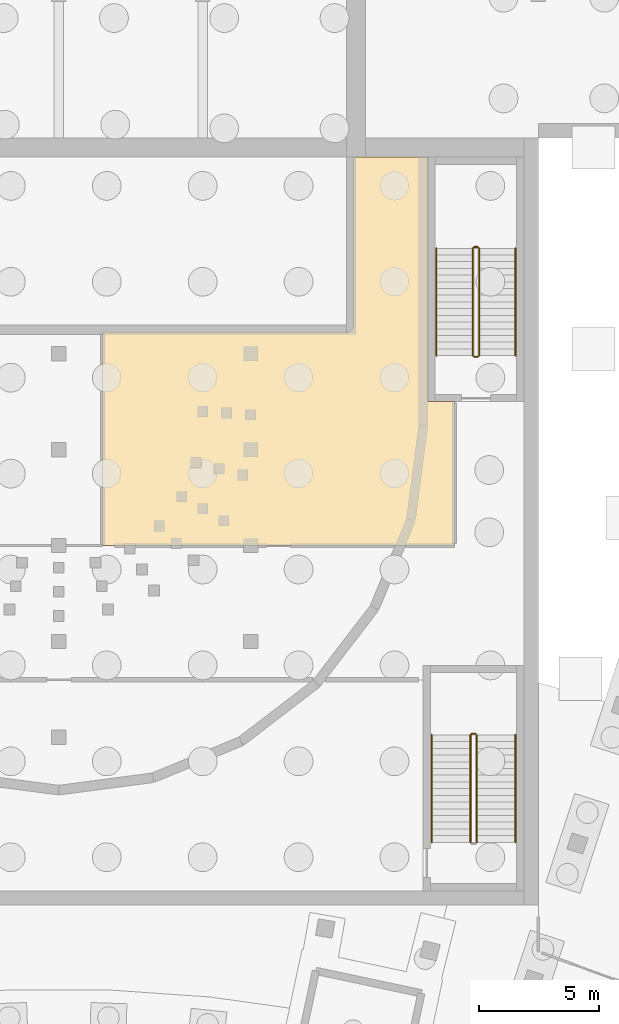
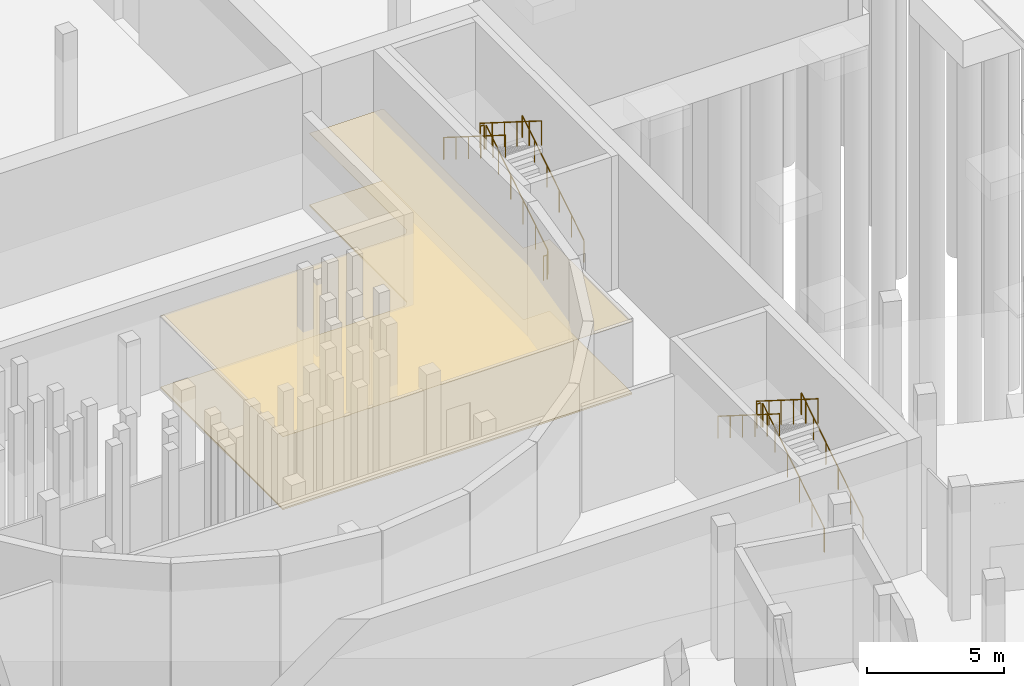
# One storey, part 51 of 66: 11 railings, 2 coverings.
"""IFC4 building model written with IfcOpenShell, lengths in metres."""

from ifc_helpers import new_model, si_unit, direction, frame, origin, origin_2d, place, context, subcontext, project, spatial, polyline, circle, outline, extrude, material, layer, layer_set, type_object, element, save


model = new_model("IFC4")

# Units and contexts
model_context = context("Model", 3, precision=1e-05, world=origin(), true_north=direction((0.0, 1.0)))
body_context = subcontext(model_context, "Body", "Model", "MODEL_VIEW")
ifc_project = project(units=[si_unit("LENGTHUNIT", "METRE"), si_unit("AREAUNIT", "SQUARE_METRE"), si_unit("VOLUMEUNIT", "CUBIC_METRE"), si_unit("PLANEANGLEUNIT", "RADIAN"), si_unit("MASSUNIT", "GRAM", prefix="KILO")], contexts=[model_context])

# Site, building, storey
site_placement = place(None, origin())
site = spatial("IfcSite", under=ifc_project, at=site_placement, CompositionType="ELEMENT")
building_placement = place(site_placement, origin())
building = spatial("IfcBuilding", under=site, at=building_placement, Name="Lunette Opera House", CompositionType="ELEMENT")
storey_placement = place(building_placement, frame((0.0, 0.0, -6.0)))
storey = spatial("IfcBuildingStorey", under=building, at=storey_placement, Name="B1", CompositionType="ELEMENT", Elevation=-6.0)

# Covering
ifc_material_1 = material(Name="Cement screed")
ifc_layer_1 = layer(ifc_material_1, 0.070068359375)
ifc_layer_set_1 = layer_set([ifc_layer_1], Name="Cement screed")
covering_type_1 = type_object("IfcCoveringType", Name="SCREED FLOOR FINISH 70", PredefinedType="FLOORING", material=ifc_layer_set_1)
covering_1_placement = place(storey_placement, origin())
element("IfcCovering", 1, at=covering_1_placement, inside=storey, type_object=covering_type_1, Name="Floor finish Orchestra Pit Store", PredefinedType="FLOORING", context=body_context, shape_type="SweptSolid", body=[
    extrude(outline(polyline([(108.05908203125, 87.906005859375), (108.0869140625, 87.9130859375), (108.114990234375, 87.923095703125), (108.14111328125, 87.93505859375), (108.1669921875, 87.950927734375), (108.18994140625, 87.968017578125), (108.2119140625, 87.988037109375), (108.23193359375, 88.010009765625), (108.2490234375, 88.032958984375), (108.264892578125, 88.05908203125), (108.277099609375, 88.0849609375), (108.287109375, 88.113037109375), (108.2939453125, 88.14111328125), (108.299072265625, 88.1708984375), (108.300048828125, 88.199951171875), (108.300048828125, 95.199951171875), (111.39990234375, 95.199951171875), (111.39990234375, 85.0), (112.4970703125, 85.0), (112.4970703125, 79.0), (97.830078125, 79.0), (97.830078125, 87.89990234375), (108.0, 87.89990234375), (108.029052734375, 87.90087890625), (108.05908203125, 87.906005859375)])), origin(), (0.0, 0.0, 1.0), 0.070068359375),
])

# Railings
ifc_material_2 = material(Name="Steel S355", Category="steel")
railing_type_1 = type_object("IfcRailingType", Name="STAIR GUARD 1100", PredefinedType="GUARDRAIL", material=ifc_material_2)
railing_1_placement = place(storey_placement, frame((113.429931640625, 66.6201171875, 0.176513671875)))
element("IfcRailing", 2, at=railing_1_placement, inside=storey, type_object=railing_type_1, Name="B1 ST8 stair guard 1", PredefinedType="GUARDRAIL", context=body_context, shape_type="SweptSolid", body=[
    extrude(circle(Radius=0.02392578125, at=origin_2d()), frame((0.0, 0.0, 1.076171875), z_axis=(0.0, 0.845997938375, 0.533186166611), x_axis=(-1.0, 0.0, 0.0)), (0.0, 0.0, 1.0), 5.29541015625),
    extrude(circle(Radius=0.02099609375, at=origin_2d()), origin(), (0.0, 0.0, 1.0), 1.052001953125),
    extrude(circle(Radius=0.02099609375, at=origin_2d()), frame((0.0, 0.89599609375, 0.564697265625)), (0.0, 0.0, 1.0), 1.052001953125),
    extrude(circle(Radius=0.02099609375, at=origin_2d()), frame((0.0, 1.7919921875, 1.12939453125)), (0.0, 0.0, 1.0), 1.052001953125),
    extrude(circle(Radius=0.02099609375, at=origin_2d()), frame((0.0, 2.68798828125, 1.694091796875)), (0.0, 0.0, 1.0), 1.052001953125),
    extrude(circle(Radius=0.02099609375, at=origin_2d()), frame((0.0, 3.583984375, 2.2587890625)), (0.0, 0.0, 1.0), 1.052001953125),
    extrude(circle(Radius=0.02099609375, at=origin_2d()), frame((0.0, 4.47998046875, 2.823486328125)), (0.0, 0.0, 1.0), 1.052001953125),
])
railing_2_placement = place(storey_placement, frame((113.3798828125, 71.14990234375, 3.0)))
element("IfcRailing", 3, at=railing_2_placement, inside=storey, type_object=railing_type_1, Name="B1 ST8 stair guard 2", PredefinedType="GUARDRAIL", context=body_context, shape_type="SweptSolid", body=[
    extrude(circle(Radius=0.02392578125, at=origin_2d()), frame((0.0, 0.0, 1.076171875), z_axis=(-1.0, 0.0, 0.0), x_axis=(0.0, -1.0, 0.0)), (0.0, 0.0, 1.0), 0.159912109375),
    extrude(circle(Radius=0.02099609375, at=origin_2d()), origin(), (0.0, 0.0, 1.0), 1.052001953125),
    extrude(circle(Radius=0.02099609375, at=origin_2d()), frame((-0.159912109375, 0.0, 0.0)), (0.0, 0.0, 1.0), 1.052001953125),
])
railing_3_placement = place(storey_placement, frame((113.169921875, 71.10009765625, 3.176513671875)))
element("IfcRailing", 4, at=railing_3_placement, inside=storey, type_object=railing_type_1, Name="B1 ST8 stair guard 3", PredefinedType="GUARDRAIL", context=body_context, shape_type="SweptSolid", body=[
    extrude(circle(Radius=0.02392578125, at=origin_2d()), frame((0.0, 0.0, 1.076171875), z_axis=(0.0, -0.845997938375, 0.533186166611), x_axis=(1.0, 0.0, 0.0)), (0.0, 0.0, 1.0), 5.29541015625),
    extrude(circle(Radius=0.02099609375, at=origin_2d()), origin(), (0.0, 0.0, 1.0), 1.052001953125),
    extrude(circle(Radius=0.02099609375, at=origin_2d()), frame((0.0, -0.89599609375, 0.564697265625)), (0.0, 0.0, 1.0), 1.052001953125),
    extrude(circle(Radius=0.02099609375, at=origin_2d()), frame((0.0, -1.7919921875, 1.12939453125)), (0.0, 0.0, 1.0), 1.052001953125),
    extrude(circle(Radius=0.02099609375, at=origin_2d()), frame((0.0, -2.68798828125, 1.694091796875)), (0.0, 0.0, 1.0), 1.052001953125),
    extrude(circle(Radius=0.02099609375, at=origin_2d()), frame((0.0, -3.583984375, 2.2587890625)), (0.0, 0.0, 1.0), 1.052001953125),
    extrude(circle(Radius=0.02099609375, at=origin_2d()), frame((0.0, -4.47998046875, 2.823486328125)), (0.0, 0.0, 1.0), 1.052001953125),
])
railing_4_placement = place(storey_placement, frame((113.530029296875, 86.919921875, 0.176513671875)))
element("IfcRailing", 5, at=railing_4_placement, inside=storey, type_object=railing_type_1, Name="B1 ST9 stair guard 1", PredefinedType="GUARDRAIL", context=body_context, shape_type="SweptSolid", body=[
    extrude(circle(Radius=0.02392578125, at=origin_2d()), frame((0.0, 0.0, 1.076171875), z_axis=(0.0, 0.845997938375, 0.533186166611), x_axis=(-1.0, 0.0, 0.0)), (0.0, 0.0, 1.0), 5.29541015625),
    extrude(circle(Radius=0.02099609375, at=origin_2d()), origin(), (0.0, 0.0, 1.0), 1.052001953125),
    extrude(circle(Radius=0.02099609375, at=origin_2d()), frame((0.0, 0.89599609375, 0.564697265625)), (0.0, 0.0, 1.0), 1.052001953125),
    extrude(circle(Radius=0.02099609375, at=origin_2d()), frame((0.0, 1.7919921875, 1.12939453125)), (0.0, 0.0, 1.0), 1.052001953125),
    extrude(circle(Radius=0.02099609375, at=origin_2d()), frame((0.0, 2.68798828125, 1.694091796875)), (0.0, 0.0, 1.0), 1.052001953125),
    extrude(circle(Radius=0.02099609375, at=origin_2d()), frame((0.0, 3.583984375, 2.2587890625)), (0.0, 0.0, 1.0), 1.052001953125),
    extrude(circle(Radius=0.02099609375, at=origin_2d()), frame((0.0, 4.47998046875, 2.823486328125)), (0.0, 0.0, 1.0), 1.052001953125),
])
railing_5_placement = place(storey_placement, frame((113.47998046875, 91.449951171875, 3.0)))
element("IfcRailing", 6, at=railing_5_placement, inside=storey, type_object=railing_type_1, Name="B1 ST9 stair guard 2", PredefinedType="GUARDRAIL", context=body_context, shape_type="SweptSolid", body=[
    extrude(circle(Radius=0.02392578125, at=origin_2d()), frame((0.0, 0.0, 1.076171875), z_axis=(-1.0, 0.0, 0.0), x_axis=(0.0, -1.0, 0.0)), (0.0, 0.0, 1.0), 0.159912109375),
    extrude(circle(Radius=0.02099609375, at=origin_2d()), origin(), (0.0, 0.0, 1.0), 1.052001953125),
    extrude(circle(Radius=0.02099609375, at=origin_2d()), frame((-0.159912109375, 0.0, 0.0)), (0.0, 0.0, 1.0), 1.052001953125),
])
railing_6_placement = place(storey_placement, frame((113.27001953125, 91.39990234375, 3.176513671875)))
element("IfcRailing", 7, at=railing_6_placement, inside=storey, type_object=railing_type_1, Name="B1 ST9 stair guard 3", PredefinedType="GUARDRAIL", context=body_context, shape_type="SweptSolid", body=[
    extrude(circle(Radius=0.02392578125, at=origin_2d()), frame((0.0, 0.0, 1.076171875), z_axis=(0.0, -0.845997938375, 0.533186166611), x_axis=(1.0, 0.0, 0.0)), (0.0, 0.0, 1.0), 5.29541015625),
    extrude(circle(Radius=0.02099609375, at=origin_2d()), origin(), (0.0, 0.0, 1.0), 1.052001953125),
    extrude(circle(Radius=0.02099609375, at=origin_2d()), frame((0.0, -0.89599609375, 0.564697265625)), (0.0, 0.0, 1.0), 1.052001953125),
    extrude(circle(Radius=0.02099609375, at=origin_2d()), frame((0.0, -1.7919921875, 1.12939453125)), (0.0, 0.0, 1.0), 1.052001953125),
    extrude(circle(Radius=0.02099609375, at=origin_2d()), frame((0.0, -2.68798828125, 1.694091796875)), (0.0, 0.0, 1.0), 1.052001953125),
    extrude(circle(Radius=0.02099609375, at=origin_2d()), frame((0.0, -3.583984375, 2.2587890625)), (0.0, 0.0, 1.0), 1.052001953125),
    extrude(circle(Radius=0.02099609375, at=origin_2d()), frame((0.0, -4.47998046875, 2.823486328125)), (0.0, 0.0, 1.0), 1.052001953125),
])
railing_7_placement = place(storey_placement, frame((113.47998046875, 86.8701171875, 0.0)))
element("IfcRailing", 8, at=railing_7_placement, inside=storey, type_object=railing_type_1, Name="B1 ST9 stair guard 4", PredefinedType="GUARDRAIL", context=body_context, shape_type="SweptSolid", body=[
    extrude(circle(Radius=0.02392578125, at=origin_2d()), frame((0.0, 0.0, 1.076171875), z_axis=(-1.0, 0.0, 0.0), x_axis=(0.0, -1.0, 0.0)), (0.0, 0.0, 1.0), 0.159912109375),
    extrude(circle(Radius=0.02099609375, at=origin_2d()), origin(), (0.0, 0.0, 1.0), 1.052001953125),
    extrude(circle(Radius=0.02099609375, at=origin_2d()), frame((-0.159912109375, 0.0, 0.0)), (0.0, 0.0, 1.0), 1.052001953125),
])
ifc_material_3 = material(Name="Steel S355", Category="steel")
railing_type_2 = type_object("IfcRailingType", Name="STAIR HANDRAIL 1000", PredefinedType="HANDRAIL", material=ifc_material_3)
railing_8_placement = place(storey_placement, frame((115.050048828125, 66.6201171875, 0.176513671875)))
element("IfcRailing", 9, at=railing_8_placement, inside=storey, type_object=railing_type_2, Name="B1 ST8 stair handrail 1", PredefinedType="HANDRAIL", context=body_context, shape_type="SweptSolid", body=[
    extrude(circle(Radius=0.02392578125, at=origin_2d()), frame((0.0, 0.0, 0.97607421875), z_axis=(0.0, 0.845997938375, 0.533186166611), x_axis=(-1.0, 0.0, 0.0)), (0.0, 0.0, 1.0), 5.29541015625),
    extrude(circle(Radius=0.02099609375, at=origin_2d()), origin(), (0.0, 0.0, 1.0), 0.951904296875),
    extrude(circle(Radius=0.02099609375, at=origin_2d()), frame((0.0, 0.89599609375, 0.564697265625)), (0.0, 0.0, 1.0), 0.951904296875),
    extrude(circle(Radius=0.02099609375, at=origin_2d()), frame((0.0, 1.7919921875, 1.12939453125)), (0.0, 0.0, 1.0), 0.951904296875),
    extrude(circle(Radius=0.02099609375, at=origin_2d()), frame((0.0, 2.68798828125, 1.694091796875)), (0.0, 0.0, 1.0), 0.951904296875),
    extrude(circle(Radius=0.02099609375, at=origin_2d()), frame((0.0, 3.583984375, 2.2587890625)), (0.0, 0.0, 1.0), 0.951904296875),
    extrude(circle(Radius=0.02099609375, at=origin_2d()), frame((0.0, 4.47998046875, 2.823486328125)), (0.0, 0.0, 1.0), 0.951904296875),
])
railing_9_placement = place(storey_placement, frame((111.550048828125, 71.10009765625, 3.176513671875)))
element("IfcRailing", 10, at=railing_9_placement, inside=storey, type_object=railing_type_2, Name="B1 ST8 stair handrail 2", PredefinedType="HANDRAIL", context=body_context, shape_type="SweptSolid", body=[
    extrude(circle(Radius=0.02392578125, at=origin_2d()), frame((0.0, 0.0, 0.97607421875), z_axis=(0.0, -0.845997938375, 0.533186166611), x_axis=(1.0, 0.0, 0.0)), (0.0, 0.0, 1.0), 5.29541015625),
    extrude(circle(Radius=0.02099609375, at=origin_2d()), origin(), (0.0, 0.0, 1.0), 0.951904296875),
    extrude(circle(Radius=0.02099609375, at=origin_2d()), frame((0.0, -0.89599609375, 0.564697265625)), (0.0, 0.0, 1.0), 0.951904296875),
    extrude(circle(Radius=0.02099609375, at=origin_2d()), frame((0.0, -1.7919921875, 1.12939453125)), (0.0, 0.0, 1.0), 0.951904296875),
    extrude(circle(Radius=0.02099609375, at=origin_2d()), frame((0.0, -2.68798828125, 1.694091796875)), (0.0, 0.0, 1.0), 0.951904296875),
    extrude(circle(Radius=0.02099609375, at=origin_2d()), frame((0.0, -3.583984375, 2.2587890625)), (0.0, 0.0, 1.0), 0.951904296875),
    extrude(circle(Radius=0.02099609375, at=origin_2d()), frame((0.0, -4.47998046875, 2.823486328125)), (0.0, 0.0, 1.0), 0.951904296875),
])
railing_10_placement = place(storey_placement, frame((115.050048828125, 86.919921875, 0.176513671875)))
element("IfcRailing", 11, at=railing_10_placement, inside=storey, type_object=railing_type_2, Name="B1 ST9 stair handrail 1", PredefinedType="HANDRAIL", context=body_context, shape_type="SweptSolid", body=[
    extrude(circle(Radius=0.02392578125, at=origin_2d()), frame((0.0, 0.0, 0.97607421875), z_axis=(0.0, 0.845997938375, 0.533186166611), x_axis=(-1.0, 0.0, 0.0)), (0.0, 0.0, 1.0), 5.29541015625),
    extrude(circle(Radius=0.02099609375, at=origin_2d()), origin(), (0.0, 0.0, 1.0), 0.951904296875),
    extrude(circle(Radius=0.02099609375, at=origin_2d()), frame((0.0, 0.89599609375, 0.564697265625)), (0.0, 0.0, 1.0), 0.951904296875),
    extrude(circle(Radius=0.02099609375, at=origin_2d()), frame((0.0, 1.7919921875, 1.12939453125)), (0.0, 0.0, 1.0), 0.951904296875),
    extrude(circle(Radius=0.02099609375, at=origin_2d()), frame((0.0, 2.68798828125, 1.694091796875)), (0.0, 0.0, 1.0), 0.951904296875),
    extrude(circle(Radius=0.02099609375, at=origin_2d()), frame((0.0, 3.583984375, 2.2587890625)), (0.0, 0.0, 1.0), 0.951904296875),
    extrude(circle(Radius=0.02099609375, at=origin_2d()), frame((0.0, 4.47998046875, 2.823486328125)), (0.0, 0.0, 1.0), 0.951904296875),
])
railing_11_placement = place(storey_placement, frame((111.75, 91.39990234375, 3.176513671875)))
element("IfcRailing", 12, at=railing_11_placement, inside=storey, type_object=railing_type_2, Name="B1 ST9 stair handrail 2", PredefinedType="HANDRAIL", context=body_context, shape_type="SweptSolid", body=[
    extrude(circle(Radius=0.02392578125, at=origin_2d()), frame((0.0, 0.0, 0.97607421875), z_axis=(0.0, -0.845997938375, 0.533186166611), x_axis=(1.0, 0.0, 0.0)), (0.0, 0.0, 1.0), 5.29541015625),
    extrude(circle(Radius=0.02099609375, at=origin_2d()), origin(), (0.0, 0.0, 1.0), 0.951904296875),
    extrude(circle(Radius=0.02099609375, at=origin_2d()), frame((0.0, -0.89599609375, 0.564697265625)), (0.0, 0.0, 1.0), 0.951904296875),
    extrude(circle(Radius=0.02099609375, at=origin_2d()), frame((0.0, -1.7919921875, 1.12939453125)), (0.0, 0.0, 1.0), 0.951904296875),
    extrude(circle(Radius=0.02099609375, at=origin_2d()), frame((0.0, -2.68798828125, 1.694091796875)), (0.0, 0.0, 1.0), 0.951904296875),
    extrude(circle(Radius=0.02099609375, at=origin_2d()), frame((0.0, -3.583984375, 2.2587890625)), (0.0, 0.0, 1.0), 0.951904296875),
    extrude(circle(Radius=0.02099609375, at=origin_2d()), frame((0.0, -4.47998046875, 2.823486328125)), (0.0, 0.0, 1.0), 0.951904296875),
])

# Covering
ifc_material_4 = material(Name="Mineral fibre board")
ifc_layer_2 = layer(ifc_material_4, 0.014892578125)
ifc_layer_set_2 = layer_set([ifc_layer_2], Name="Mineral fibre board")
covering_type_2 = type_object("IfcCoveringType", Name="SUSPENDED ACOUSTIC CEILING 15", PredefinedType="CEILING", material=ifc_layer_set_2)
covering_2_placement = place(storey_placement, frame((0.0, 0.0, 3.235107421875)))
element("IfcCovering", 13, at=covering_2_placement, inside=storey, type_object=covering_type_2, Name="Ceiling Orchestra Pit Store", PredefinedType="CEILING", context=body_context, shape_type="SweptSolid", body=[
    extrude(outline(polyline([(108.05908203125, 87.906005859375), (108.0869140625, 87.9130859375), (108.114990234375, 87.923095703125), (108.14111328125, 87.93505859375), (108.1669921875, 87.950927734375), (108.18994140625, 87.968017578125), (108.2119140625, 87.988037109375), (108.23193359375, 88.010009765625), (108.2490234375, 88.032958984375), (108.264892578125, 88.05908203125), (108.277099609375, 88.0849609375), (108.287109375, 88.113037109375), (108.2939453125, 88.14111328125), (108.299072265625, 88.1708984375), (108.300048828125, 88.199951171875), (108.300048828125, 95.199951171875), (111.39990234375, 95.199951171875), (111.39990234375, 85.0), (112.4970703125, 85.0), (112.4970703125, 79.0), (97.830078125, 79.0), (97.830078125, 87.89990234375), (108.0, 87.89990234375), (108.029052734375, 87.90087890625), (108.05908203125, 87.906005859375)])), origin(), (0.0, 0.0, 1.0), 0.014892578125),
])

save(model, "model.ifc")
